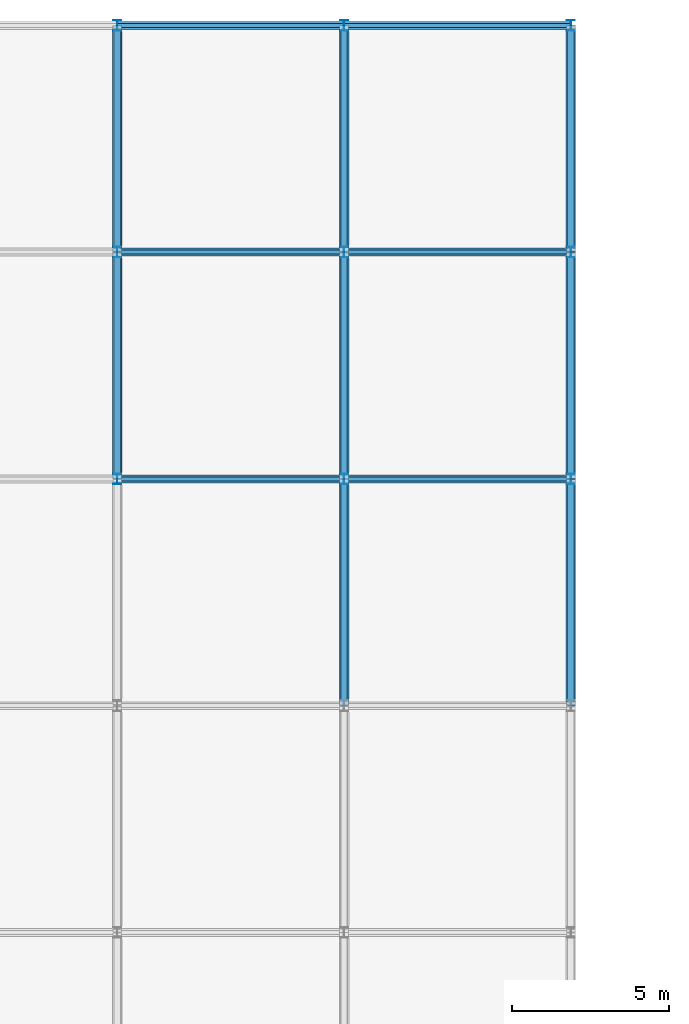
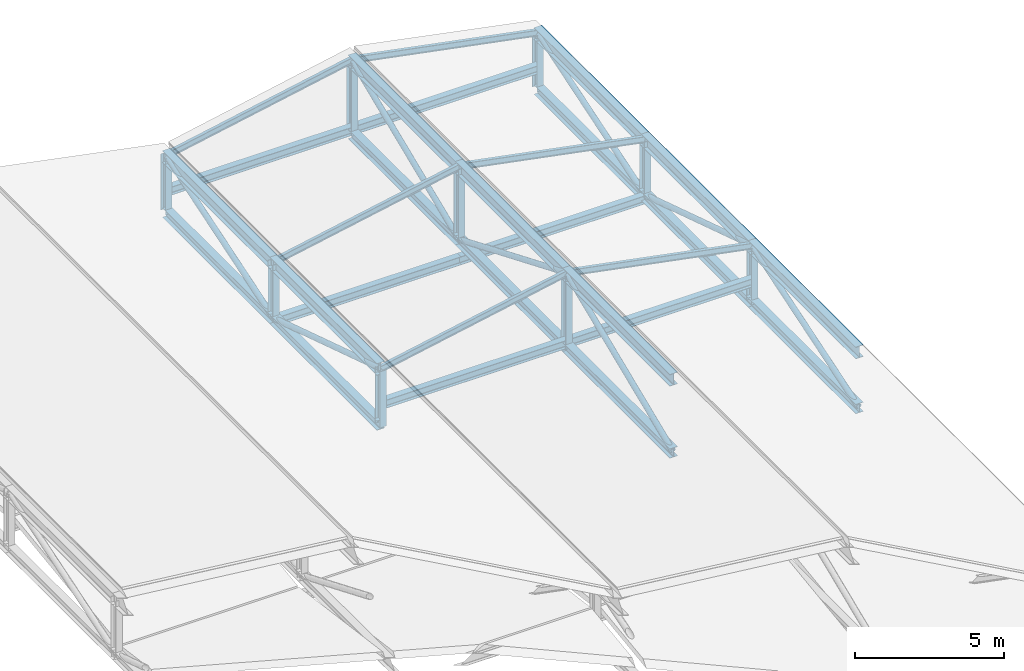
# One storey, part 41 of 60: 39 members, 6 beams.
"""IFC4 building model written with IfcOpenShell, lengths in metres."""

from ifc_helpers import new_model, si_unit, direction, frame, origin, origin_2d, place, context, subcontext, project, spatial, hollow_circle, i_section, extrude, material, material_profile, profile_set, type_object, element, save


model = new_model("IFC4")

# Units and contexts
model_context = context("Model", 3, precision=1e-05, world=origin(), true_north=direction((0.0, 1.0)))
body_context = subcontext(model_context, "Body", "Model", "MODEL_VIEW")
ifc_project = project(units=[si_unit("LENGTHUNIT", "METRE"), si_unit("AREAUNIT", "SQUARE_METRE"), si_unit("VOLUMEUNIT", "CUBIC_METRE"), si_unit("PLANEANGLEUNIT", "RADIAN"), si_unit("MASSUNIT", "GRAM", prefix="KILO")], contexts=[model_context])

# Site, building, storey
site_placement = place(None, origin())
site = spatial("IfcSite", under=ifc_project, at=site_placement, CompositionType="ELEMENT")
building_placement = place(site_placement, origin())
building = spatial("IfcBuilding", under=site, at=building_placement, Name="Vesperath Aquatics Centre", CompositionType="ELEMENT")
storey_placement = place(building_placement, frame((0.0, 0.0, 27.60009765625)))
storey = spatial("IfcBuildingStorey", under=building, at=storey_placement, Name="RF", CompositionType="ELEMENT", Elevation=27.60009765625)

# Beams
ifc_material_1 = material(Name="Steel Q355C", Category="steel")
ifc_material_profile_1 = material_profile(ifc_material_1, i_section(OverallWidth=0.25, OverallDepth=0.340087890625, WebThickness=0.009033203125, FlangeThickness=0.013916015625, FilletRadius=0.02001953125, at=origin_2d()), Name="HM 340x250x9x14")
ifc_profile_set_1 = profile_set([ifc_material_profile_1], Name="Steel Q355C")
beam_type_1 = type_object("IfcBeamType", Name="BM-RB04", PredefinedType="BEAM", material=ifc_profile_set_1)
for number, where, z_axis, x_axis, name in (
    (1, (129.60009765625, 108.0, -12.60498046875), (1.0, 0.0, 0.0), (0.0, 1.0, 0.0), "Training Roof Support Beam B12 19-108.0"),
    (2, (136.800048828125, 108.0, -12.60498046875), (1.0, 0.0, 0.0), (0.0, 1.0, 0.0), "Training Roof Support Beam B12 20-108.0"),
):
    element("IfcBeam", number, at=place(storey_placement, frame(where, z_axis=z_axis, x_axis=x_axis)), inside=storey, type_object=beam_type_1, Name=name, PredefinedType="BEAM", context=body_context, shape_type="SweptSolid", body=[
        extrude(i_section(OverallWidth=0.25, OverallDepth=0.340087890625, WebThickness=0.009033203125, FlangeThickness=0.013916015625, FilletRadius=0.02001953125, at=origin_2d()), origin(), (0.0, 0.0, 1.0), 7.199951171875),
    ])
ifc_material_profile_2 = material_profile(ifc_material_1, i_section(OverallWidth=0.25, OverallDepth=0.340087890625, WebThickness=0.009033203125, FlangeThickness=0.013916015625, FilletRadius=0.02001953125, at=origin_2d()), Name="HM 340x250x9x14")
ifc_profile_set_2 = profile_set([ifc_material_profile_2], Name="Steel Q355C")
beam_type_2 = type_object("IfcBeamType", Name="BM-RB05", PredefinedType="BEAM", material=ifc_profile_set_2)
for number, where, z_axis, x_axis, name in (
    (3, (129.60009765625, 100.800048828125, -11.644287109375), (1.0, 0.0, 0.0), (0.0, 1.0, 0.0), "Training Roof Support Beam B12 19-100.8"),
    (4, (129.60009765625, 115.199951171875, -11.644287109375), (1.0, 0.0, 0.0), (0.0, 1.0, 0.0), "Training Roof Support Beam B12 19-115.2"),
    (5, (136.800048828125, 100.800048828125, -11.644287109375), (1.0, 0.0, 0.0), (0.0, 1.0, 0.0), "Training Roof Support Beam B12 20-100.8"),
    (6, (136.800048828125, 115.199951171875, -11.644287109375), (1.0, 0.0, 0.0), (0.0, 1.0, 0.0), "Training Roof Support Beam B12 20-115.2"),
):
    element("IfcBeam", number, at=place(storey_placement, frame(where, z_axis=z_axis, x_axis=x_axis)), inside=storey, type_object=beam_type_2, Name=name, PredefinedType="BEAM", context=body_context, shape_type="SweptSolid", body=[
        extrude(i_section(OverallWidth=0.25, OverallDepth=0.340087890625, WebThickness=0.009033203125, FlangeThickness=0.013916015625, FilletRadius=0.02001953125, at=origin_2d()), origin(), (0.0, 0.0, 1.0), 7.199951171875),
    ])

# Members
ifc_material_2 = material(Name="Steel Q355D", Category="steel")
ifc_material_profile_3 = material_profile(ifc_material_2, i_section(OverallWidth=0.300048828125, OverallDepth=0.389892578125, WebThickness=0.010009765625, FlangeThickness=0.01611328125, FilletRadius=0.02197265625, at=origin_2d()), Name="HM 390x300x10x16")
ifc_profile_set_3 = profile_set([ifc_material_profile_3], Name="Steel Q355D")
member_type_1 = type_object("IfcMemberType", Name="MB-BC03", PredefinedType="CHORD", material=ifc_profile_set_3)
for number, where, z_axis, x_axis, name in (
    (7, (129.60009765625, 100.800048828125, -12.5), (0.0, 1.0, 0.0), (-1.0, 0.0, 0.0), "Training Hall ROOF TRUSS Bottom Chord BC03 G19-6"),
    (8, (129.60009765625, 108.0, -12.5), (0.0, 1.0, 0.0), (-1.0, 0.0, 0.0), "Training Hall ROOF TRUSS Bottom Chord BC03 G19-7"),
    (9, (136.800048828125, 93.60009765625, -11.800048828125), (0.0, 1.0, 0.0), (-1.0, 0.0, 0.0), "Training Hall ROOF TRUSS Bottom Chord BC03 G20-5"),
    (10, (136.800048828125, 100.800048828125, -11.800048828125), (0.0, 1.0, 0.0), (-1.0, 0.0, 0.0), "Training Hall ROOF TRUSS Bottom Chord BC03 G20-6"),
    (11, (136.800048828125, 108.0, -11.800048828125), (0.0, 1.0, 0.0), (-1.0, 0.0, 0.0), "Training Hall ROOF TRUSS Bottom Chord BC03 G20-7"),
    (12, (144.0, 93.60009765625, -12.5), (0.0, 1.0, 0.0), (-1.0, 0.0, 0.0), "Training Hall ROOF TRUSS Bottom Chord BC03 G21-5"),
    (13, (144.0, 100.800048828125, -12.5), (0.0, 1.0, 0.0), (-1.0, 0.0, 0.0), "Training Hall ROOF TRUSS Bottom Chord BC03 G21-6"),
    (14, (144.0, 108.0, -12.5), (0.0, 1.0, 0.0), (-1.0, 0.0, 0.0), "Training Hall ROOF TRUSS Bottom Chord BC03 G21-7"),
):
    element("IfcMember", number, at=place(storey_placement, frame(where, z_axis=z_axis, x_axis=x_axis)), inside=storey, type_object=member_type_1, Name=name, PredefinedType="CHORD", context=body_context, shape_type="SweptSolid", body=[
        extrude(i_section(OverallWidth=0.300048828125, OverallDepth=0.389892578125, WebThickness=0.010009765625, FlangeThickness=0.01611328125, FilletRadius=0.02197265625, at=origin_2d()), origin(), (0.0, 0.0, 1.0), 7.199951171875),
    ])
ifc_material_profile_4 = material_profile(ifc_material_1, i_section(OverallWidth=0.125, OverallDepth=0.25, WebThickness=0.006103515625, FlangeThickness=0.009033203125, FilletRadius=0.010009765625, at=origin_2d()), Name="HN 250x125x6x9")
ifc_profile_set_4 = profile_set([ifc_material_profile_4], Name="Steel Q355C")
member_type_2 = type_object("IfcMemberType", Name="MB-PR03", PredefinedType="PURLIN", material=ifc_profile_set_4)
for number, where, z_axis, x_axis, name in (
    (15, (129.60009765625, 100.800048828125, -10.2001953125), (0.98161140514, 0.0, 0.190890149825), (0.0, 1.0, 0.0), "Training Hall Roof Purlin PR03 19-6"),
    (16, (129.60009765625, 108.0, -10.2001953125), (0.98161140514, 0.0, 0.190890149825), (0.0, 1.0, 0.0), "Training Hall Roof Purlin PR03 19-7"),
    (17, (129.60009765625, 115.199951171875, -10.2001953125), (0.98161140514, 0.0, 0.190890149825), (0.0, 1.0, 0.0), "Training Hall Roof Purlin PR03 19-8"),
    (18, (136.800048828125, 100.800048828125, -8.800048828125), (0.98161140514, 0.0, -0.190890149825), (0.0, 1.0, 0.0), "Training Hall Roof Purlin PR03 20-6"),
    (19, (136.800048828125, 108.0, -8.800048828125), (0.98161140514, 0.0, -0.190890149825), (0.0, 1.0, 0.0), "Training Hall Roof Purlin PR03 20-7"),
    (20, (136.800048828125, 115.199951171875, -8.800048828125), (0.98161140514, 0.0, -0.190890149825), (0.0, 1.0, 0.0), "Training Hall Roof Purlin PR03 20-8"),
):
    element("IfcMember", number, at=place(storey_placement, frame(where, z_axis=z_axis, x_axis=x_axis)), inside=storey, type_object=member_type_2, Name=name, PredefinedType="PURLIN", context=body_context, shape_type="SweptSolid", body=[
        extrude(i_section(OverallWidth=0.125, OverallDepth=0.25, WebThickness=0.006103515625, FlangeThickness=0.009033203125, FilletRadius=0.010009765625, at=origin_2d()), origin(), (0.0, 0.0, 1.0), 7.334716796875),
    ])
ifc_material_profile_5 = material_profile(ifc_material_2, i_section(OverallWidth=0.300048828125, OverallDepth=0.488037109375, WebThickness=0.010986328125, FlangeThickness=0.01806640625, FilletRadius=0.02587890625, at=origin_2d()), Name="HM 488x300x11x18")
ifc_profile_set_5 = profile_set([ifc_material_profile_5], Name="Steel Q355D")
member_type_3 = type_object("IfcMemberType", Name="MB-TC04", PredefinedType="CHORD", material=ifc_profile_set_5)
for number, where, z_axis, x_axis, name in (
    (21, (129.60009765625, 100.800048828125, -10.2001953125), (0.0, 1.0, 0.0), (-1.0, 0.0, 0.0), "Training Hall ROOF TRUSS Top Chord TC04 G19-6"),
    (22, (129.60009765625, 108.0, -10.2001953125), (0.0, 1.0, 0.0), (-1.0, 0.0, 0.0), "Training Hall ROOF TRUSS Top Chord TC04 G19-7"),
    (23, (136.800048828125, 93.60009765625, -8.800048828125), (0.0, 1.0, 0.0), (-1.0, 0.0, 0.0), "Training Hall ROOF TRUSS Top Chord TC04 G20-5"),
    (24, (136.800048828125, 100.800048828125, -8.800048828125), (0.0, 1.0, 0.0), (-1.0, 0.0, 0.0), "Training Hall ROOF TRUSS Top Chord TC04 G20-6"),
    (25, (136.800048828125, 108.0, -8.800048828125), (0.0, 1.0, 0.0), (-1.0, 0.0, 0.0), "Training Hall ROOF TRUSS Top Chord TC04 G20-7"),
    (26, (144.0, 93.60009765625, -10.2001953125), (0.0, 1.0, 0.0), (-1.0, 0.0, 0.0), "Training Hall ROOF TRUSS Top Chord TC04 G21-5"),
    (27, (144.0, 100.800048828125, -10.2001953125), (0.0, 1.0, 0.0), (-1.0, 0.0, 0.0), "Training Hall ROOF TRUSS Top Chord TC04 G21-6"),
    (28, (144.0, 108.0, -10.2001953125), (0.0, 1.0, 0.0), (-1.0, 0.0, 0.0), "Training Hall ROOF TRUSS Top Chord TC04 G21-7"),
):
    element("IfcMember", number, at=place(storey_placement, frame(where, z_axis=z_axis, x_axis=x_axis)), inside=storey, type_object=member_type_3, Name=name, PredefinedType="CHORD", context=body_context, shape_type="SweptSolid", body=[
        extrude(i_section(OverallWidth=0.300048828125, OverallDepth=0.488037109375, WebThickness=0.010986328125, FlangeThickness=0.01806640625, FilletRadius=0.02587890625, at=origin_2d()), origin(), (0.0, 0.0, 1.0), 7.199951171875),
    ])
ifc_material_profile_6 = material_profile(ifc_material_2, hollow_circle(Radius=0.109619140625, WallThickness=0.010009765625, at=origin_2d()), Name="CHS 219.1x10")
ifc_profile_set_6 = profile_set([ifc_material_profile_6], Name="Steel Q355D")
member_type_4 = type_object("IfcMemberType", Name="MB-TD04", PredefinedType="BRACE", material=ifc_profile_set_6)
for number, where, z_axis, x_axis, name in (
    (29, (129.60009765625, 100.876220703125, -10.224365234375), (0.0, 0.952571930303, -0.304313518594), (-1.0, 0.0, 0.0), "Training Hall ROOF TRUSS Diagonal TD04 G19-6"),
    (30, (129.60009765625, 108.076171875, -12.475830078125), (0.0, 0.952571930303, 0.304313518594), (-1.0, 0.0, 0.0), "Training Hall ROOF TRUSS Diagonal TD04 G19-7"),
):
    element("IfcMember", number, at=place(storey_placement, frame(where, z_axis=z_axis, x_axis=x_axis)), inside=storey, type_object=member_type_4, Name=name, PredefinedType="BRACE", context=body_context, shape_type="SweptSolid", body=[
        extrude(hollow_circle(Radius=0.109619140625, WallThickness=0.010009765625, at=origin_2d()), origin(), (0.0, 0.0, 1.0), 7.3984375),
    ])
member_placement = place(storey_placement, frame((136.800048828125, 93.673828125, -11.769287109375), z_axis=(0.0, 0.92307503219, 0.384619922711), x_axis=(-1.0, 0.0, 0.0)))
element("IfcMember", 31, at=member_placement, inside=storey, type_object=member_type_4, Name="Training Hall ROOF TRUSS Diagonal TD04 G20-5", PredefinedType="BRACE", context=body_context, shape_type="SweptSolid", body=[
    extrude(hollow_circle(Radius=0.109619140625, WallThickness=0.010009765625, at=origin_2d()), origin(), (0.0, 0.0, 1.0), 7.639892578125),
])
for number, where, z_axis, x_axis, name in (
    (32, (136.800048828125, 100.873779296875, -8.830810546875), (0.0, 0.923079759281, -0.384608577655), (-1.0, 0.0, 0.0), "Training Hall ROOF TRUSS Diagonal TD04 G20-6"),
    (33, (136.800048828125, 108.07373046875, -11.769287109375), (0.0, 0.923079759281, 0.384608577655), (-1.0, 0.0, 0.0), "Training Hall ROOF TRUSS Diagonal TD04 G20-7"),
):
    element("IfcMember", number, at=place(storey_placement, frame(where, z_axis=z_axis, x_axis=x_axis)), inside=storey, type_object=member_type_4, Name=name, PredefinedType="BRACE", context=body_context, shape_type="SweptSolid", body=[
        extrude(hollow_circle(Radius=0.109619140625, WallThickness=0.010009765625, at=origin_2d()), origin(), (0.0, 0.0, 1.0), 7.64013671875),
    ])
for number, where, z_axis, x_axis, name in (
    (34, (144.0, 93.67626953125, -12.475830078125), (0.0, 0.952571930303, 0.304313518594), (-1.0, 0.0, 0.0), "Training Hall ROOF TRUSS Diagonal TD04 G21-5"),
    (35, (144.0, 100.876220703125, -10.224365234375), (0.0, 0.952571930303, -0.304313518594), (-1.0, 0.0, 0.0), "Training Hall ROOF TRUSS Diagonal TD04 G21-6"),
    (36, (144.0, 108.076171875, -12.475830078125), (0.0, 0.952571930303, 0.304313518594), (-1.0, 0.0, 0.0), "Training Hall ROOF TRUSS Diagonal TD04 G21-7"),
):
    element("IfcMember", number, at=place(storey_placement, frame(where, z_axis=z_axis, x_axis=x_axis)), inside=storey, type_object=member_type_4, Name=name, PredefinedType="BRACE", context=body_context, shape_type="SweptSolid", body=[
        extrude(hollow_circle(Radius=0.109619140625, WallThickness=0.010009765625, at=origin_2d()), origin(), (0.0, 0.0, 1.0), 7.3984375),
    ])
ifc_material_profile_7 = material_profile(ifc_material_2, i_section(OverallWidth=0.25, OverallDepth=0.340087890625, WebThickness=0.009033203125, FlangeThickness=0.013916015625, FilletRadius=0.02001953125, at=origin_2d()), Name="HM 340x250x9x14")
ifc_profile_set_7 = profile_set([ifc_material_profile_7], Name="Steel Q355D")
member_type_5 = type_object("IfcMemberType", Name="MB-TP02", PredefinedType="POST", material=ifc_profile_set_7)
for number, where, z_axis, x_axis, name in (
    (37, (129.60009765625, 100.800048828125, -12.5), (0.0, 0.0, 1.0), (1.0, 0.0, 0.0), "Training Hall ROOF TRUSS Post TP02 G19-6"),
    (38, (129.60009765625, 108.0, -12.5), (0.0, 0.0, 1.0), (1.0, 0.0, 0.0), "Training Hall ROOF TRUSS Post TP02 G19-7"),
    (39, (129.60009765625, 115.199951171875, -12.5), (0.0, 0.0, 1.0), (1.0, 0.0, 0.0), "Training Hall ROOF TRUSS Post TP02 G19-8"),
):
    element("IfcMember", number, at=place(storey_placement, frame(where, z_axis=z_axis, x_axis=x_axis)), inside=storey, type_object=member_type_5, Name=name, PredefinedType="POST", context=body_context, shape_type="SweptSolid", body=[
        extrude(i_section(OverallWidth=0.25, OverallDepth=0.340087890625, WebThickness=0.009033203125, FlangeThickness=0.013916015625, FilletRadius=0.02001953125, at=origin_2d()), origin(), (0.0, 0.0, 1.0), 2.2998046875),
    ])
for number, where, z_axis, x_axis, name in (
    (40, (136.800048828125, 100.800048828125, -11.800048828125), (0.0, 0.0, 1.0), (1.0, 0.0, 0.0), "Training Hall ROOF TRUSS Post TP02 G20-6"),
    (41, (136.800048828125, 108.0, -11.800048828125), (0.0, 0.0, 1.0), (1.0, 0.0, 0.0), "Training Hall ROOF TRUSS Post TP02 G20-7"),
    (42, (136.800048828125, 115.199951171875, -11.800048828125), (0.0, 0.0, 1.0), (1.0, 0.0, 0.0), "Training Hall ROOF TRUSS Post TP02 G20-8"),
):
    element("IfcMember", number, at=place(storey_placement, frame(where, z_axis=z_axis, x_axis=x_axis)), inside=storey, type_object=member_type_5, Name=name, PredefinedType="POST", context=body_context, shape_type="SweptSolid", body=[
        extrude(i_section(OverallWidth=0.25, OverallDepth=0.340087890625, WebThickness=0.009033203125, FlangeThickness=0.013916015625, FilletRadius=0.02001953125, at=origin_2d()), origin(), (0.0, 0.0, 1.0), 3.0),
    ])
for number, where, z_axis, x_axis, name in (
    (43, (144.0, 100.800048828125, -12.5), (0.0, 0.0, 1.0), (1.0, 0.0, 0.0), "Training Hall ROOF TRUSS Post TP02 G21-6"),
    (44, (144.0, 108.0, -12.5), (0.0, 0.0, 1.0), (1.0, 0.0, 0.0), "Training Hall ROOF TRUSS Post TP02 G21-7"),
    (45, (144.0, 115.199951171875, -12.5), (0.0, 0.0, 1.0), (1.0, 0.0, 0.0), "Training Hall ROOF TRUSS Post TP02 G21-8"),
):
    element("IfcMember", number, at=place(storey_placement, frame(where, z_axis=z_axis, x_axis=x_axis)), inside=storey, type_object=member_type_5, Name=name, PredefinedType="POST", context=body_context, shape_type="SweptSolid", body=[
        extrude(i_section(OverallWidth=0.25, OverallDepth=0.340087890625, WebThickness=0.009033203125, FlangeThickness=0.013916015625, FilletRadius=0.02001953125, at=origin_2d()), origin(), (0.0, 0.0, 1.0), 2.2998046875),
    ])

save(model, "model.ifc")
